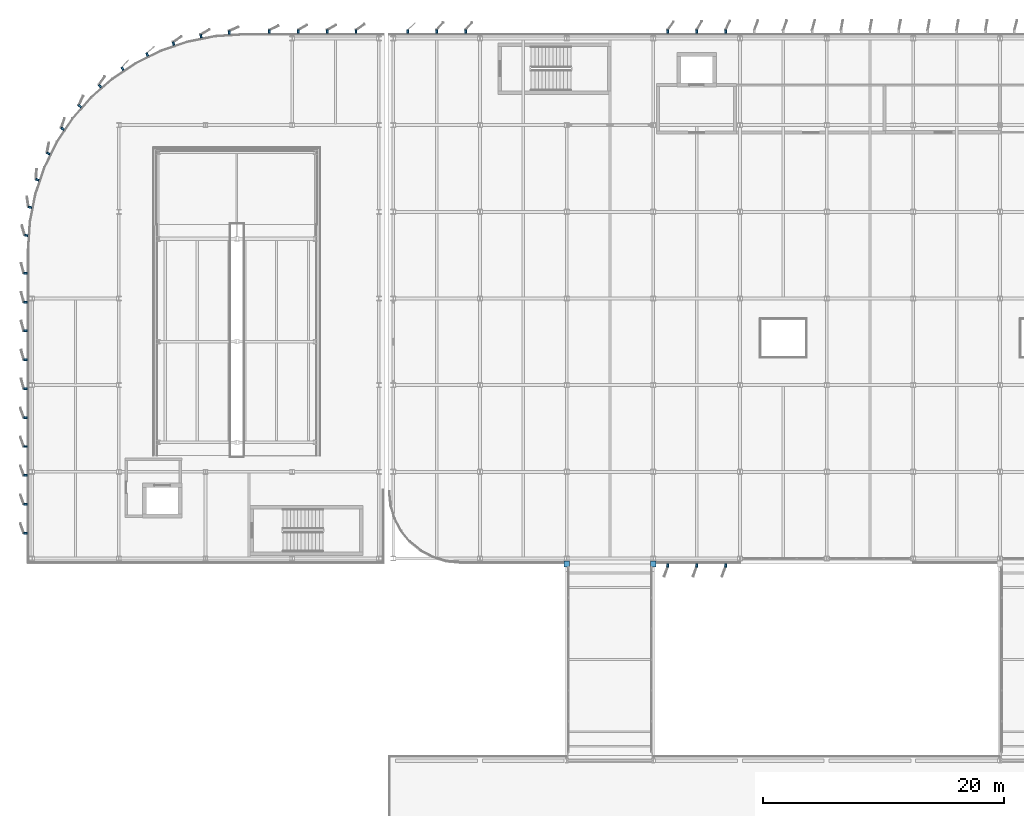
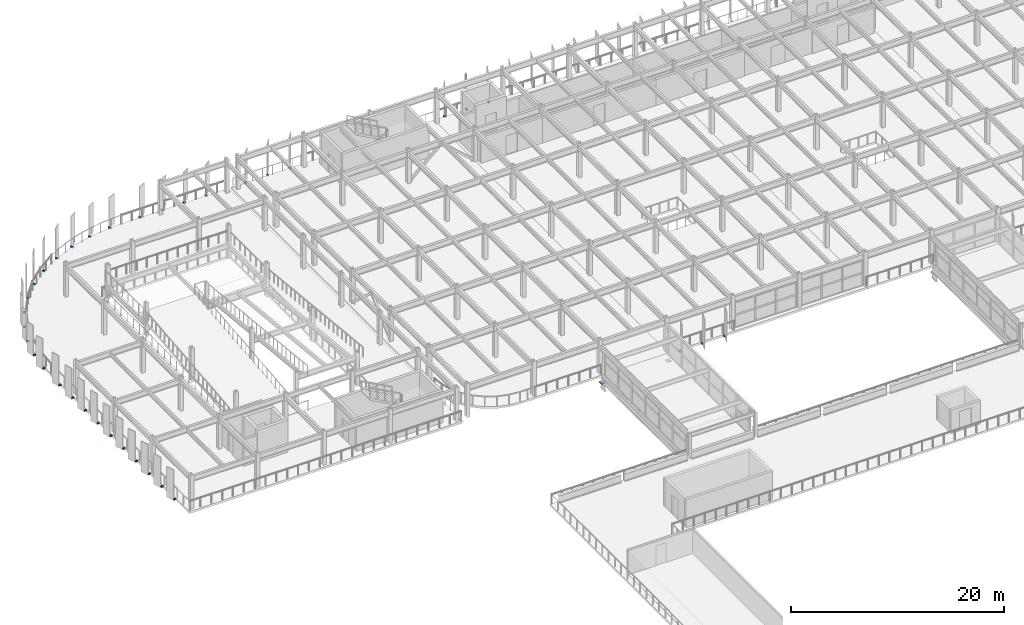
# One storey, part 70 of 93: 37 discrete accessories.
"""IFC4 building model written with IfcOpenShell, lengths in metres."""

import ifcopenshell
import ifcopenshell.guid

model = None  # the IFC model being written
_history = None  # IfcOwnerHistory: only IFC2X3 demands one
_inside = {}  # id of a spatial element -> (the spatial element, [elements in it])
_under = {}  # id of a project, library or spatial element -> (it, [spatial elements below it])
_declared = {}  # id of a project -> (the project, [libraries it declares])
_typed = {}  # id of a type object -> (the type object, [elements of that type])
_made_of = {}  # id of a material, layer set ... -> (it, [elements and type objects made of it])


def new_model(schema):
    """Start an empty IFC model of exactly this schema.

    Asked for "IFC4X3", IfcOpenShell would pick the latest addendum, in which some entities
    have other attributes; the version numbers below select the first issue.
    IFC2X3 requires an IfcOwnerHistory on every rooted entity: one is made here for all.
    """
    global model, _history
    if schema == "IFC4X3":
        model = ifcopenshell.file(schema_version=(4, 3, 0, 0))
    else:
        model = ifcopenshell.file(schema=schema)
    _inside.clear()
    _under.clear()
    _declared.clear()
    _typed.clear()
    _made_of.clear()
    _history = None
    if model.schema == "IFC2X3":
        org = make("IfcOrganization", Name="unknown")
        user = make(
            "IfcPersonAndOrganization",
            ThePerson=make("IfcPerson", FamilyName="unknown"),
            TheOrganization=org,
        )
        app = make(
            "IfcApplication",
            ApplicationDeveloper=org,
            Version="unknown",
            ApplicationFullName="unknown",
            ApplicationIdentifier="unknown",
        )
        _history = make(
            "IfcOwnerHistory",
            OwningUser=user,
            OwningApplication=app,
            ChangeAction="ADDED",
            CreationDate=0,
        )
    return model


def make(cls, **values):
    """One entity of the class cls with the attributes given. An attribute that is None is left unset."""
    return model.create_entity(
        cls, **{name: value for name, value in values.items() if value is not None}
    )


def rooted(cls, **values):
    """An entity with a GlobalId (a new one), such as an element, a storey or a relation."""
    return make(cls, GlobalId=ifcopenshell.guid.new(), OwnerHistory=_history, **values)


def si_unit(unit_type, name, prefix=None):
    """IfcSIUnit, for example si_unit("LENGTHUNIT", "METRE", prefix="MILLI")."""
    return make("IfcSIUnit", UnitType=unit_type, Prefix=prefix, Name=name)


def assignment(units):
    """IfcUnitAssignment: the units of a project."""
    return None if units is None else make("IfcUnitAssignment", Units=units)


def point(xyz):
    """IfcCartesianPoint."""
    return None if xyz is None else make("IfcCartesianPoint", Coordinates=xyz)


def direction(xyz):
    """IfcDirection."""
    return None if xyz is None else make("IfcDirection", DirectionRatios=xyz)


def frame(location, z_axis=None, x_axis=None):
    """IfcAxis2Placement3D, a coordinate frame: its origin and axes. An axis left out is left unset."""
    return make(
        "IfcAxis2Placement3D",
        Location=point(location),
        Axis=direction(z_axis),
        RefDirection=direction(x_axis),
    )


def frame_2d(location, x_axis=None):
    """IfcAxis2Placement2D, a coordinate frame in the plane: its origin and x axis."""
    return make(
        "IfcAxis2Placement2D", Location=point(location), RefDirection=direction(x_axis)
    )


def origin():
    """The frame at (0, 0, 0) with its axes left unset."""
    return frame((0.0, 0.0, 0.0))


def origin_2d():
    """The frame at (0, 0) in the plane with its x axis left unset."""
    return frame_2d((0.0, 0.0))


def place(relative_to, where):
    """IfcLocalPlacement: puts the frame where relative to a parent placement (None: the world)."""
    return make(
        "IfcLocalPlacement", PlacementRelTo=relative_to, RelativePlacement=where
    )


def context(
    kind, dimensions, precision=None, world=None, true_north=None, identifier=None
):
    """IfcGeometricRepresentationContext, for example the 3D "Model" context."""
    return make(
        "IfcGeometricRepresentationContext",
        ContextIdentifier=identifier,
        ContextType=kind,
        CoordinateSpaceDimension=dimensions,
        Precision=precision,
        WorldCoordinateSystem=world,
        TrueNorth=true_north,
    )


def subcontext(parent, identifier, kind, view, scale=None):
    """IfcGeometricRepresentationSubContext, for example "Body" below "Model"."""
    return make(
        "IfcGeometricRepresentationSubContext",
        ContextIdentifier=identifier,
        ContextType=kind,
        ParentContext=parent,
        TargetScale=scale,
        TargetView=view,
    )


def project(units=None, contexts=None):
    """IfcProject with its units and contexts."""
    return rooted(
        "IfcProject",
        Name="project",
        RepresentationContexts=contexts,
        UnitsInContext=assignment(units),
    )


def spatial(cls, under=None, at=None, **own):
    """A site, building, storey or space (cls), placed at a placement, below another one or the project."""
    s = rooted(cls, ObjectPlacement=at, **own)
    if under is not None:
        _under.setdefault(under.id(), (under, []))[1].append(s)
    return s


def profile(cls, at=None, kind="AREA", **sizes):
    """A parametric profile (cls). Its sizes go by their IFC names, for example OverallWidth=200.0."""
    return make(cls, ProfileType=kind, Position=at, **sizes)


def rectangle(**sizes):
    """IfcRectangleProfileDef."""
    return profile("IfcRectangleProfileDef", **sizes)


def extrude(swept, where, along, depth):
    """IfcExtrudedAreaSolid: the profile swept, set in the frame where, extruded along a direction by depth."""
    return make(
        "IfcExtrudedAreaSolid",
        SweptArea=swept,
        Position=where,
        ExtrudedDirection=direction(along),
        Depth=depth,
    )


def shape(context_of_items, identifier, shape_type, items):
    """IfcShapeRepresentation: the items that make up one representation, for example the "Body"."""
    return make(
        "IfcShapeRepresentation",
        ContextOfItems=context_of_items,
        RepresentationIdentifier=identifier,
        RepresentationType=shape_type,
        Items=items,
    )


def material(Name=None, Category=None):
    """IfcMaterial."""
    return make("IfcMaterial", Name=Name, Category=Category)


def made_of(thing, what):
    """Note that an element or type object is made of a material, layer set ...; save() writes the relation."""
    if what is not None:
        _made_of.setdefault(what.id(), (what, []))[1].append(thing)
    return thing


def type_object(cls, material=None, **own):
    """A type object (cls), such as IfcWallType, which elements share."""
    return made_of(rooted(cls, **own), material)


def element(
    cls,
    number,
    at=None,
    inside=None,
    cuts=None,
    type_object=None,
    material=None,
    context=None,
    identifier="Body",
    shape_type=None,
    held_by="IfcProductDefinitionShape",
    body=None,
    shapes=None,
    **own,
):
    """One element of the class cls, such as IfcWall. Its Tag is "e" and its number.

    at: its placement. inside: the storey or other place that contains it. cuts: it is an
    opening in that element (IfcRelVoidsElement). A single representation is given by context,
    identifier, shape_type and body (its items); several are given by shapes. held_by: the class
    of the entity that holds the representations. save() writes the other relations.
    """
    e = rooted(cls, Tag="e%d" % number, ObjectPlacement=at, **own)
    if body is not None:
        shapes = [shape(context, identifier, shape_type, body)]
    if shapes is not None:
        e.Representation = make(held_by, Representations=shapes)
    if inside is not None:
        _inside.setdefault(inside.id(), (inside, []))[1].append(e)
    if cuts is not None:
        rooted(
            "IfcRelVoidsElement", RelatingBuildingElement=cuts, RelatedOpeningElement=e
        )
    if type_object is not None:
        _typed.setdefault(type_object.id(), (type_object, []))[1].append(e)
    return made_of(e, material)


def aggregate(whole, parts):
    """IfcRelAggregates: a whole, such as a stair, and the parts it consists of."""
    return rooted("IfcRelAggregates", RelatingObject=whole, RelatedObjects=parts)


def save(model, path):
    """Write the relations noted so far, then the file.

    IfcRelAggregates (storeys below a building ...), IfcRelContainedInSpatialStructure (elements
    in a storey), IfcRelDefinesByType, IfcRelAssociatesMaterial and IfcRelDeclares: one each for
    every whole, place, type object, material and project.
    """
    for whole, parts in _under.values():
        aggregate(whole, parts)
    for where, things in _inside.values():
        rooted(
            "IfcRelContainedInSpatialStructure",
            RelatedElements=things,
            RelatingStructure=where,
        )
    for kind, things in _typed.values():
        rooted("IfcRelDefinesByType", RelatedObjects=things, RelatingType=kind)
    for what, things in _made_of.values():
        rooted("IfcRelAssociatesMaterial", RelatedObjects=things, RelatingMaterial=what)
    for by, libraries in _declared.values():
        rooted("IfcRelDeclares", RelatingContext=by, RelatedDefinitions=libraries)
    model.write(path)


model = new_model("IFC4")

# Units and contexts
model_context = context("Model", 3, precision=1e-05, world=origin(), true_north=direction((0.0, 1.0)))
body_context = subcontext(model_context, "Body", "Model", "MODEL_VIEW")
ifc_project = project(units=[si_unit("LENGTHUNIT", "METRE"), si_unit("AREAUNIT", "SQUARE_METRE"), si_unit("VOLUMEUNIT", "CUBIC_METRE"), si_unit("PLANEANGLEUNIT", "RADIAN"), si_unit("MASSUNIT", "GRAM", prefix="KILO")], contexts=[model_context])

# Site, building, storey
site_placement = place(None, origin())
site = spatial("IfcSite", under=ifc_project, at=site_placement, CompositionType="ELEMENT")
building_placement = place(site_placement, origin())
building = spatial("IfcBuilding", under=site, at=building_placement, Name="Vaelcorin Mobility Hub", CompositionType="ELEMENT")
storey_placement = place(building_placement, frame((0.0, 0.0, 5.39990234375)))
storey = spatial("IfcBuildingStorey", under=building, at=storey_placement, Name="L01", CompositionType="ELEMENT", Elevation=5.39990234375)

# Discrete accessories
ifc_material_1 = material(Name="PTFE laminated elastomeric bearing")
discrete_accessory_type_1 = type_object("IfcDiscreteAccessoryType", Name="ACC-BRG1", PredefinedType="USERDEFINED", material=ifc_material_1)
for number, where, z_axis, x_axis, name in (
    (1, (50.39990234375, 76.35009765625, -0.911865234375), (0.0, 0.0, 1.0), (1.0, 0.0, 0.0), "Unguided PTFE Sliding Bearing BRG-1 LB1-W"),
    (2, (57.60009765625, 76.35009765625, -0.911865234375), (0.0, 0.0, 1.0), (1.0, 0.0, 0.0), "Unguided PTFE Sliding Bearing BRG-1 LB1-E"),
):
    element("IfcDiscreteAccessory", number, at=place(storey_placement, frame(where, z_axis=z_axis, x_axis=x_axis)), inside=storey, type_object=discrete_accessory_type_1, Name=name, ObjectType="SLIDING BEARING", PredefinedType="USERDEFINED", context=body_context, shape_type="SweptSolid", body=[
        extrude(rectangle(XDim=0.449951171875, YDim=0.5, at=origin_2d()), origin(), (0.0, 0.0, 1.0), 0.080078125),
    ])
ifc_material_2 = material(Name="Galvanised structural steel ASTM A36", Category="steel")
discrete_accessory_type_2 = type_object("IfcDiscreteAccessoryType", Name="ACC-BRK-FIN", PredefinedType="BRACKET", material=ifc_material_2)
for number, where, z_axis, x_axis, name in (
    (3, (37.199951171875, 120.570068359375, -0.15966796875), (0.0, 0.0, 1.0), (0.0, 1.0, 0.0), "Aerofoil Outrigger Bracket FIN-V4-L01-N-01-BK-01"),
    (4, (39.60009765625, 120.570068359375, -0.15966796875), (0.0, 0.0, 1.0), (0.0, 1.0, 0.0), "Aerofoil Outrigger Bracket FIN-V4-L01-N-01-BK-02"),
    (5, (42.0, 120.570068359375, -0.15966796875), (0.0, 0.0, 1.0), (0.0, 1.0, 0.0), "Aerofoil Outrigger Bracket FIN-V4-L01-N-01-BK-03"),
    (6, (63.60009765625, 76.22998046875, -0.15966796875), (0.0, 0.0, 1.0), (0.0, -1.0, 0.0), "Aerofoil Outrigger Bracket FIN-V4-L01-S-04-BK-01"),
    (7, (61.199951171875, 76.22998046875, -0.15966796875), (0.0, 0.0, 1.0), (0.0, -1.0, 0.0), "Aerofoil Outrigger Bracket FIN-V4-L01-S-04-BK-02"),
    (8, (58.800048828125, 76.22998046875, -0.15966796875), (0.0, 0.0, 1.0), (0.0, -1.0, 0.0), "Aerofoil Outrigger Bracket FIN-V4-L01-S-04-BK-03"),
    (9, (58.800048828125, 120.570068359375, -0.15966796875), (0.0, 0.0, 1.0), (0.0, 1.0, 0.0), "Aerofoil Outrigger Bracket FIN-V4-L01-N-04-BK-01"),
    (10, (61.199951171875, 120.570068359375, -0.15966796875), (0.0, 0.0, 1.0), (0.0, 1.0, 0.0), "Aerofoil Outrigger Bracket FIN-V4-L01-N-04-BK-02"),
    (11, (63.60009765625, 120.570068359375, -0.15966796875), (0.0, 0.0, 1.0), (0.0, 1.0, 0.0), "Aerofoil Outrigger Bracket FIN-V4-L01-N-04-BK-03"),
    (12, (25.699951171875, 120.570068359375, -0.15966796875), (0.0, 0.0, 1.0), (0.0, 1.0, 0.0), "Aerofoil Outrigger Bracket FIN-V2W-L01-N-BK-01"),
    (13, (28.10009765625, 120.570068359375, -0.15966796875), (0.0, 0.0, 1.0), (0.0, 1.0, 0.0), "Aerofoil Outrigger Bracket FIN-V2W-L01-N-BK-02"),
    (14, (30.5, 120.570068359375, -0.15966796875), (0.0, 0.0, 1.0), (0.0, 1.0, 0.0), "Aerofoil Outrigger Bracket FIN-V2W-L01-N-BK-03"),
    (15, (32.89990234375, 120.570068359375, -0.15966796875), (0.0, 0.0, 1.0), (0.0, 1.0, 0.0), "Aerofoil Outrigger Bracket FIN-V2W-L01-N-BK-04"),
    (16, (22.367919921875, 120.492919921875, -0.15966796875), (0.0, 0.0, 1.0), (-0.065420545144, 0.997857781587, 0.0), "Aerofoil Outrigger Bracket FIN-V2W-L01-ABK-01"),
    (17, (20.02294921875, 120.18408203125, -0.15966796875), (0.0, 0.0, 1.0), (-0.19488490255, 0.980826118513, 0.0), "Aerofoil Outrigger Bracket FIN-V2W-L01-ABK-02"),
    (18, (17.738037109375, 119.572021484375, -0.15966796875), (0.0, 0.0, 1.0), (-0.321571678558, 0.946885238849, 0.0), "Aerofoil Outrigger Bracket FIN-V2W-L01-ABK-03"),
    (19, (15.552978515625, 118.6669921875, -0.15966796875), (0.0, 0.0, 1.0), (-0.442445217305, 0.896795533934, 0.0), "Aerofoil Outrigger Bracket FIN-V2W-L01-ABK-04"),
    (20, (13.50390625, 117.48388671875, -0.15966796875), (0.0, 0.0, 1.0), (-0.555483158679, 0.831527786922, 0.0), "Aerofoil Outrigger Bracket FIN-V2W-L01-ABK-05"),
    (21, (11.6279296875, 116.0439453125, -0.15966796875), (0.0, 0.0, 1.0), (-0.659280202189, 0.751897343393, 0.0), "Aerofoil Outrigger Bracket FIN-V2W-L01-ABK-06"),
    (22, (9.9560546875, 114.3720703125, -0.15966796875), (0.0, 0.0, 1.0), (-0.751897343393, 0.659280202189, 0.0), "Aerofoil Outrigger Bracket FIN-V2W-L01-ABK-07"),
    (23, (8.51611328125, 112.49609375, -0.15966796875), (0.0, 0.0, 1.0), (-0.831527786922, 0.555483158679, 0.0), "Aerofoil Outrigger Bracket FIN-V2W-L01-ABK-08"),
    (24, (7.3330078125, 110.447021484375, -0.15966796875), (0.0, 0.0, 1.0), (-0.896795533934, 0.442445217305, 0.0), "Aerofoil Outrigger Bracket FIN-V2W-L01-ABK-09"),
    (25, (6.427978515625, 108.261962890625, -0.15966796875), (0.0, 0.0, 1.0), (-0.946885238849, 0.321571678558, 0.0), "Aerofoil Outrigger Bracket FIN-V2W-L01-ABK-10"),
    (26, (5.81591796875, 105.97705078125, -0.15966796875), (0.0, 0.0, 1.0), (-0.980826118513, 0.19488490255, 0.0), "Aerofoil Outrigger Bracket FIN-V2W-L01-ABK-11"),
    (27, (5.507080078125, 103.632080078125, -0.15966796875), (0.0, 0.0, 1.0), (-0.997857781587, 0.065420545144, 0.0), "Aerofoil Outrigger Bracket FIN-V2W-L01-ABK-12"),
    (28, (5.429931640625, 78.89990234375, -0.15966796875), (0.0, 0.0, 1.0), (-1.0, 0.0, 0.0), "Aerofoil Outrigger Bracket FIN-V2W-L01-W-BK-01"),
    (29, (5.429931640625, 81.300048828125, -0.15966796875), (0.0, 0.0, 1.0), (-1.0, 0.0, 0.0), "Aerofoil Outrigger Bracket FIN-V2W-L01-W-BK-02"),
    (30, (5.429931640625, 83.699951171875, -0.15966796875), (0.0, 0.0, 1.0), (-1.0, 0.0, 0.0), "Aerofoil Outrigger Bracket FIN-V2W-L01-W-BK-03"),
    (31, (5.429931640625, 86.10009765625, -0.15966796875), (0.0, 0.0, 1.0), (-1.0, 0.0, 0.0), "Aerofoil Outrigger Bracket FIN-V2W-L01-W-BK-04"),
    (32, (5.429931640625, 88.5, -0.15966796875), (0.0, 0.0, 1.0), (-1.0, 0.0, 0.0), "Aerofoil Outrigger Bracket FIN-V2W-L01-W-BK-05"),
    (33, (5.429931640625, 90.89990234375, -0.15966796875), (0.0, 0.0, 1.0), (-1.0, 0.0, 0.0), "Aerofoil Outrigger Bracket FIN-V2W-L01-W-BK-06"),
    (34, (5.429931640625, 93.300048828125, -0.15966796875), (0.0, 0.0, 1.0), (-1.0, 0.0, 0.0), "Aerofoil Outrigger Bracket FIN-V2W-L01-W-BK-07"),
    (35, (5.429931640625, 95.699951171875, -0.15966796875), (0.0, 0.0, 1.0), (-1.0, 0.0, 0.0), "Aerofoil Outrigger Bracket FIN-V2W-L01-W-BK-08"),
    (36, (5.429931640625, 98.10009765625, -0.15966796875), (0.0, 0.0, 1.0), (-1.0, 0.0, 0.0), "Aerofoil Outrigger Bracket FIN-V2W-L01-W-BK-09"),
    (37, (5.429931640625, 100.5, -0.15966796875), (0.0, 0.0, 1.0), (-1.0, 0.0, 0.0), "Aerofoil Outrigger Bracket FIN-V2W-L01-W-BK-10"),
):
    element("IfcDiscreteAccessory", number, at=place(storey_placement, frame(where, z_axis=z_axis, x_axis=x_axis)), inside=storey, type_object=discrete_accessory_type_2, Name=name, PredefinedType="BRACKET", context=body_context, shape_type="SweptSolid", body=[
        extrude(rectangle(XDim=0.280029296875, YDim=0.159912109375, at=origin_2d()), origin(), (0.0, 0.0, 1.0), 0.159912109375),
    ])

save(model, "model.ifc")
